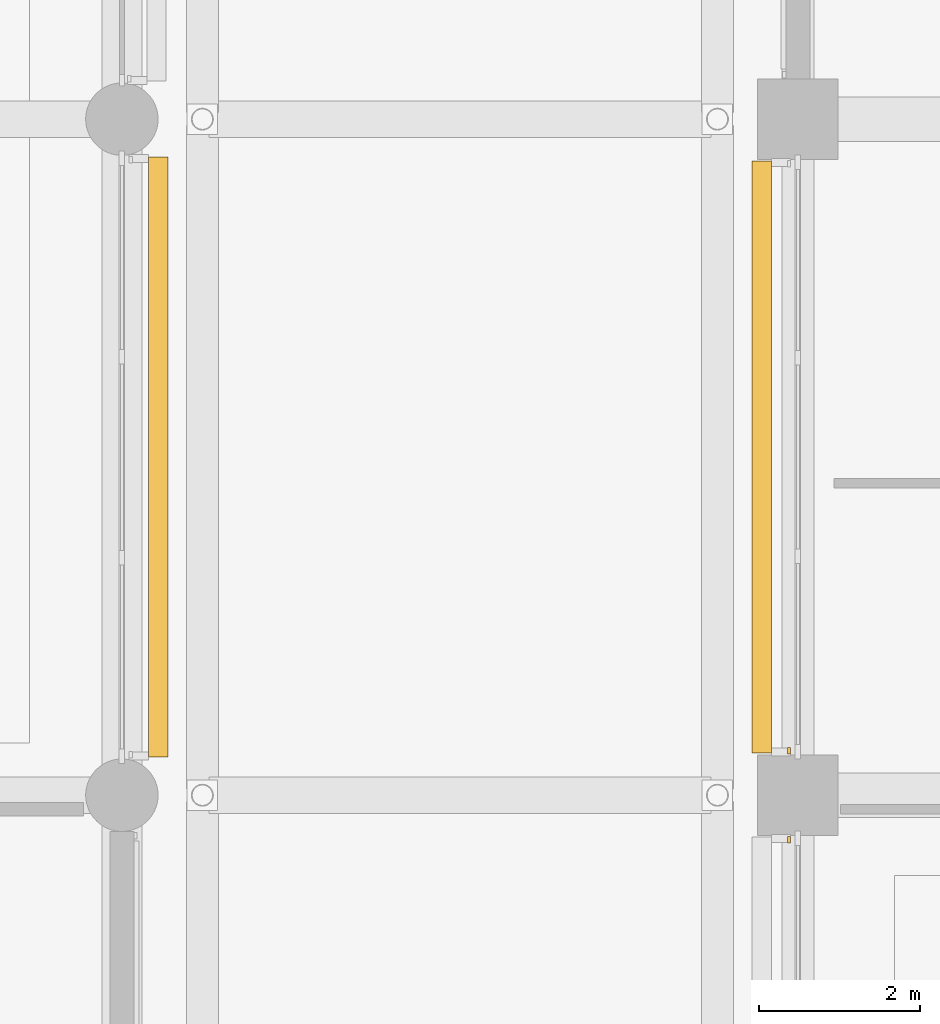
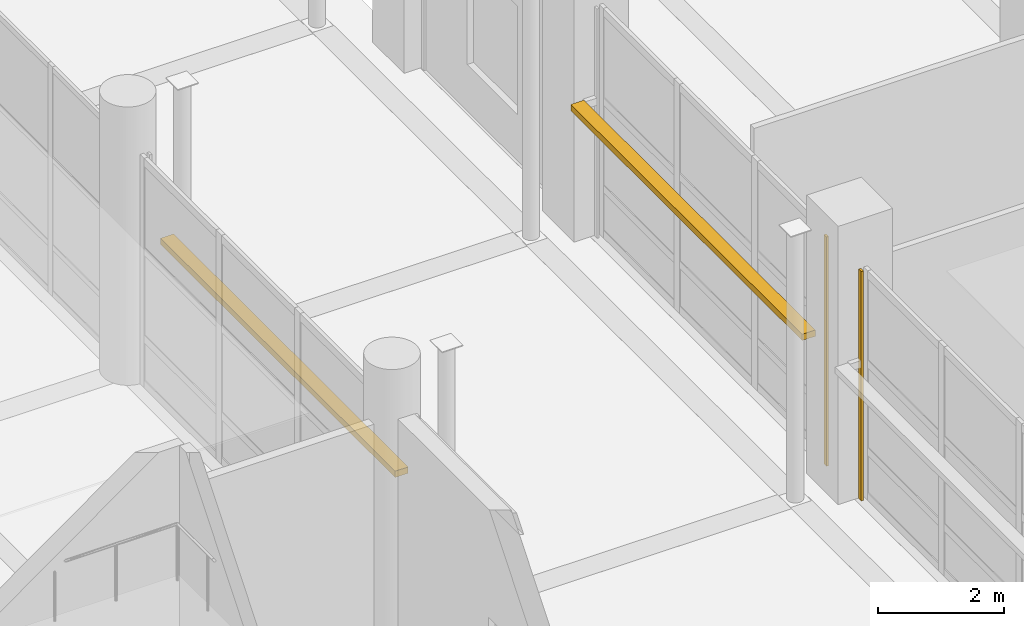
# One storey, part 102 of 140: 2 coverings, 2 shading devices.
"""IFC4 building model written with IfcOpenShell, lengths in metres."""

from ifc_helpers import new_model, si_unit, direction, frame, origin, origin_2d, place, context, subcontext, project, spatial, rectangle, extrude, material, layer, layer_set, type_object, element, save


model = new_model("IFC4")

# Units and contexts
model_context = context("Model", 3, precision=1e-05, world=origin(), true_north=direction((0.0, 1.0)))
body_context = subcontext(model_context, "Body", "Model", "MODEL_VIEW")
ifc_project = project(units=[si_unit("LENGTHUNIT", "METRE"), si_unit("AREAUNIT", "SQUARE_METRE"), si_unit("VOLUMEUNIT", "CUBIC_METRE"), si_unit("PLANEANGLEUNIT", "RADIAN"), si_unit("MASSUNIT", "GRAM", prefix="KILO")], contexts=[model_context])

# Site, building, storey
site_placement = place(None, origin())
site = spatial("IfcSite", under=ifc_project, at=site_placement, CompositionType="ELEMENT")
building_placement = place(site_placement, origin())
building = spatial("IfcBuilding", under=site, at=building_placement, Name="Telukmera Botanical Conservatory", CompositionType="ELEMENT")
storey_placement = place(building_placement, origin())
storey = spatial("IfcBuildingStorey", under=building, at=storey_placement, Name="L00", CompositionType="ELEMENT", Elevation=0.0)

# Coverings
ifc_material_1 = material(Name="Granite-faced precast concrete C40/50", Category="masonry")
ifc_layer_1 = layer(ifc_material_1, 0.0400390625)
ifc_layer_set_1 = layer_set([ifc_layer_1], Name="Granite-faced precast concrete C40/50")
covering_type = type_object("IfcCoveringType", Name="Granite Precast Column Pier Reveal Casing", PredefinedType="CLADDING", material=ifc_layer_set_1)
for number, where, z_axis, x_axis, name in (
    (1, (50.2900390625, 33.847900390625, 0.0), (0.0, 0.0, 1.0), (0.0, 1.0, 0.0), "Granite Pier Reveal V4:L00:W3 R"),
    (2, (50.2900390625, 34.951904296875, 0.0), (0.0, 0.0, 1.0), (0.0, 1.0, 0.0), "Granite Pier Reveal V4:L00:W4 L"),
):
    element("IfcCovering", number, at=place(storey_placement, frame(where, z_axis=z_axis, x_axis=x_axis)), inside=storey, type_object=covering_type, Name=name, PredefinedType="CLADDING", context=body_context, shape_type="SweptSolid", body=[
        extrude(rectangle(XDim=0.080078125, YDim=0.0400390625, at=origin_2d()), origin(), (0.0, 0.0, 1.0), 4.449951171875),
    ])

# Shading devices
ifc_material_2 = material(Name="Perforated terracotta-anodised aluminium 6063-T6", Category="masonry")
ifc_layer_2 = layer(ifc_material_2, 0.044921875)
ifc_layer_set_2 = layer_set([ifc_layer_2], Name="Perforated terracotta-anodised aluminium 6063-T6")
shading_device_type = type_object("IfcShadingDeviceType", Name="Perforated Terracotta Aluminium Monsoon Brise Soleil", PredefinedType="JALOUSIE", material=ifc_layer_set_2)
shading_device_1_placement = place(storey_placement, frame((42.449951171875, 38.60009765625, 2.58984375), z_axis=(0.0, 0.0, 1.0), x_axis=(0.0, 1.0, 0.0)))
element("IfcShadingDevice", 3, at=shading_device_1_placement, inside=storey, type_object=shading_device_type, Name="Monsoon Shading BS01 V3:L00:E3", PredefinedType="JALOUSIE", context=body_context, shape_type="SweptSolid", body=[
    extrude(rectangle(XDim=7.4560546875, YDim=0.239990234375, at=origin_2d()), origin(), (0.0, 0.0, 1.0), 0.1201171875),
])
shading_device_2_placement = place(storey_placement, frame((49.949951171875, 38.60009765625, 2.58984375), z_axis=(0.0, 0.0, 1.0), x_axis=(0.0, 1.0, 0.0)))
element("IfcShadingDevice", 4, at=shading_device_2_placement, inside=storey, type_object=shading_device_type, Name="Monsoon Shading BS01 V4:L00:W4", PredefinedType="JALOUSIE", context=body_context, shape_type="SweptSolid", body=[
    extrude(rectangle(XDim=7.35595703125, YDim=0.239990234375, at=origin_2d()), origin(), (0.0, 0.0, 1.0), 0.1201171875),
])

save(model, "model.ifc")
